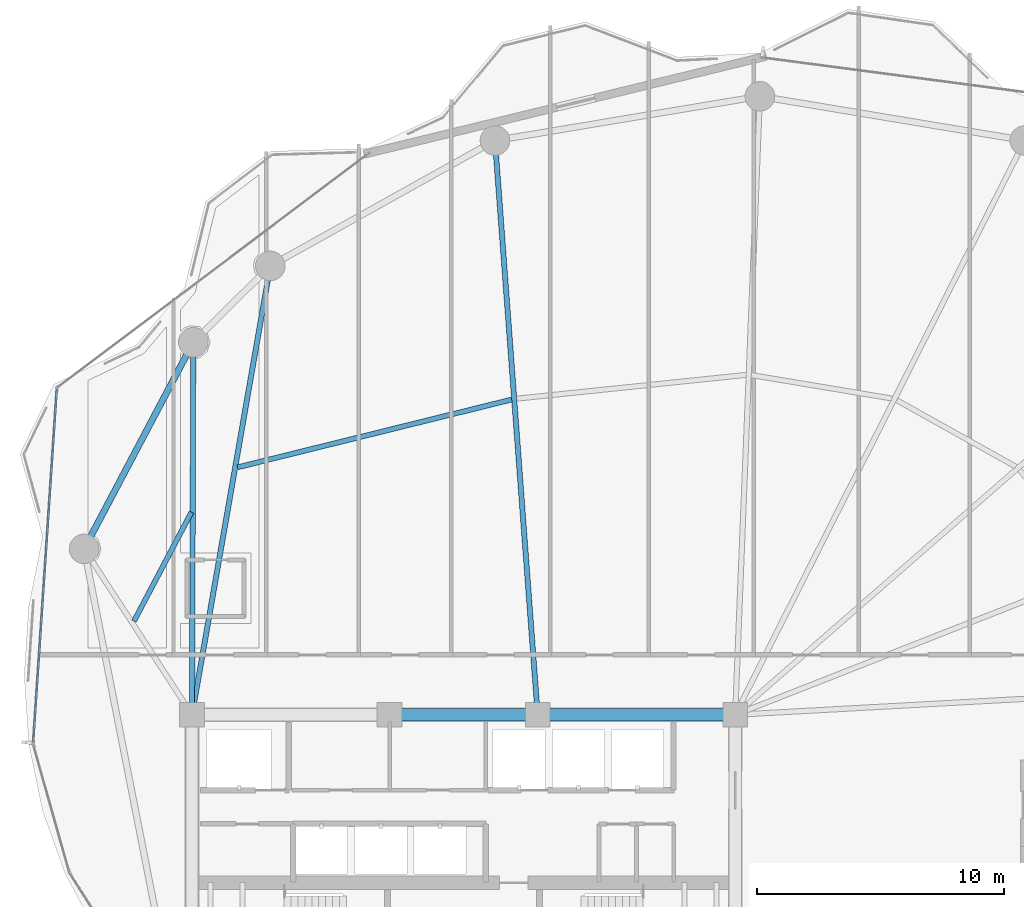
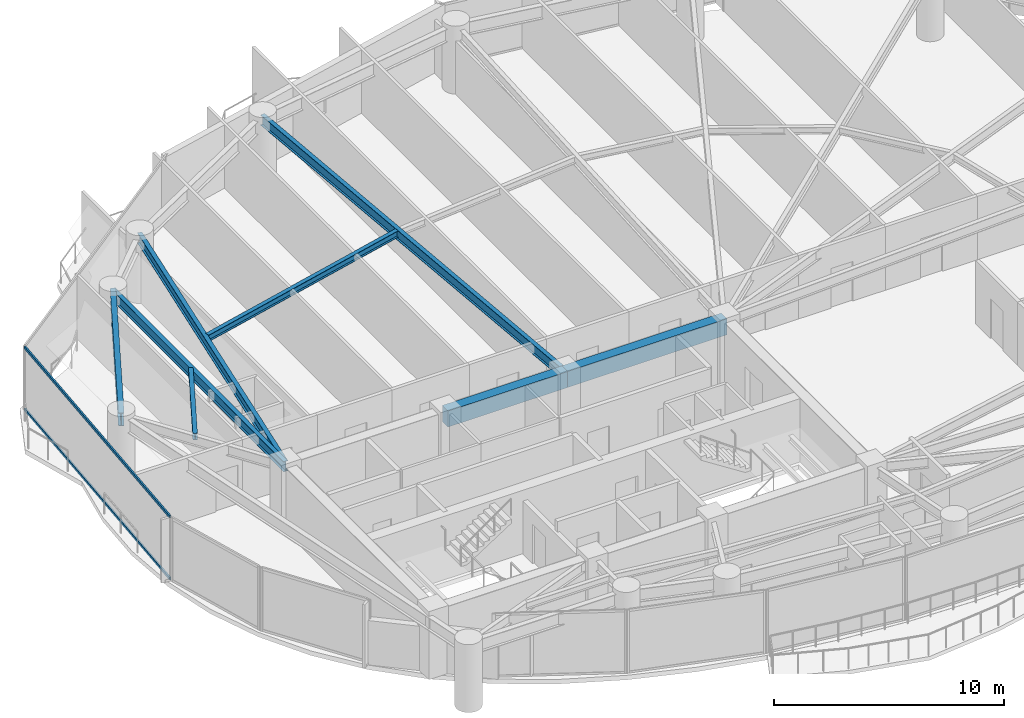
# One storey, part 8 of 31: 8 beams, 2 members, 1 element without a shape of its own.
"""IFC4 building model written with IfcOpenShell, lengths in metres."""

from ifc_helpers import new_model, si_unit, direction, frame, origin, origin_2d, place, context, subcontext, project, spatial, rectangle, hollow_rectangle, i_section, extrude, material, layer, layer_set, material_profile, profile_set, type_object, element, aggregate, save


model = new_model("IFC4")

# Units and contexts
model_context = context("Model", 3, precision=1e-05, world=origin(), true_north=direction((0.0, 1.0)))
body_context = subcontext(model_context, "Body", "Model", "MODEL_VIEW")
ifc_project = project(units=[si_unit("LENGTHUNIT", "METRE"), si_unit("AREAUNIT", "SQUARE_METRE"), si_unit("VOLUMEUNIT", "CUBIC_METRE"), si_unit("PLANEANGLEUNIT", "RADIAN"), si_unit("MASSUNIT", "GRAM", prefix="KILO")], contexts=[model_context])

# Site, building, storey
site_placement = place(None, origin())
site = spatial("IfcSite", under=ifc_project, at=site_placement, CompositionType="ELEMENT")
building_placement = place(site_placement, origin())
building = spatial("IfcBuilding", under=site, at=building_placement, Name="Kazevale Care Tower and Concert Hall", CompositionType="ELEMENT")
storey_placement = place(building_placement, frame((0.0, 0.0, 117.0)))
storey = spatial("IfcBuildingStorey", under=building, at=storey_placement, Name="L30", CompositionType="ELEMENT", Elevation=117.0)

# Curtain wall, members
ifc_material_1 = material(Name="Aluminium 6063-T6 and Low-E Glass", Category="aluminium")
ifc_layer = layer(ifc_material_1, 0.179931640625)
ifc_layer_set = layer_set([ifc_layer], Name="Aluminium 6063-T6 and Low-E Glass")
curtain_wall_type = type_object("IfcCurtainWallType", Name="Waist & Upper Residential Curtain Wall CW-4", PredefinedType="NOTDEFINED", material=ifc_layer_set)
curtain_wall_placement = place(storey_placement, origin())
curtain_wall = element("IfcCurtainWall", 1, at=curtain_wall_placement, inside=storey, type_object=curtain_wall_type, Name="cw:L30:f13", PredefinedType="NOTDEFINED")
ifc_material_2 = material(Name="Aluminium 6063-T6", Category="aluminium")
ifc_material_profile_1 = material_profile(ifc_material_2, hollow_rectangle(XDim=0.080078125, YDim=0.139892578125, WallThickness=0.00390625, at=origin_2d()), Name="ALU80x140x4")
ifc_profile_set_1 = profile_set([ifc_material_profile_1], Name="Aluminium 6063-T6")
member_type = type_object("IfcMemberType", Name="CW-4 Transom ALU80x140x4", PredefinedType="USERDEFINED", material=ifc_profile_set_1)
member_1_placement = place(storey_placement, frame((15.5712890625, 35.3017578125, 0.0400390625), z_axis=(0.06662329491, 0.99777820009, 0.0), x_axis=(-0.99777820009, 0.06662329491, 0.0)))
member_1 = element("IfcMember", 2, at=member_1_placement, type_object=member_type, Name="CW-4 transom 1.1", ObjectType="TRANSOM", PredefinedType="USERDEFINED", context=body_context, shape_type="SweptSolid", body=[
    extrude(hollow_rectangle(XDim=0.080078125, YDim=0.139892578125, WallThickness=0.00390625, at=origin_2d()), origin(), (0.0, 0.0, 1.0), 14.295166015625),
])
member_2_placement = place(storey_placement, frame((15.5712890625, 35.3017578125, 3.320068359375), z_axis=(0.06662329491, 0.99777820009, 0.0), x_axis=(-0.99777820009, 0.06662329491, 0.0)))
member_2 = element("IfcMember", 3, at=member_2_placement, type_object=member_type, Name="CW-4 transom 1.2", ObjectType="TRANSOM", PredefinedType="USERDEFINED", context=body_context, shape_type="SweptSolid", body=[
    extrude(hollow_rectangle(XDim=0.080078125, YDim=0.139892578125, WallThickness=0.00390625, at=origin_2d()), origin(), (0.0, 0.0, 1.0), 14.295166015625),
])
aggregate(curtain_wall, [member_1, member_2])

# Beams
ifc_material_3 = material(Name="Concrete C60", Category="concrete")
ifc_material_profile_2 = material_profile(ifc_material_3, rectangle(XDim=0.5, YDim=0.85009765625, at=origin_2d()), Name="RC-B500x850")
ifc_profile_set_2 = profile_set([ifc_material_profile_2], Name="Concrete C60")
beam_type_1 = type_object("IfcBeamType", Name="Core Coupling Beam RC500x850", PredefinedType="LINTEL", material=ifc_profile_set_2)
beam_1_placement = place(storey_placement, frame((44.0, 36.39990234375, 2.93505859375), z_axis=(-1.0, 0.0, 0.0), x_axis=(0.0, -1.0, 0.0)))
element("IfcBeam", 4, at=beam_1_placement, inside=storey, type_object=beam_type_1, Name="beam:L30:coretie:5", PredefinedType="LINTEL", context=body_context, shape_type="SweptSolid", body=[
    extrude(rectangle(XDim=0.5, YDim=0.85009765625, at=origin_2d()), origin(), (0.0, 0.0, 1.0), 8.0),
])
beam_2_placement = place(storey_placement, frame((36.0, 36.39990234375, 2.93505859375), z_axis=(-1.0, 0.0, 0.0), x_axis=(0.0, -1.0, 0.0)))
element("IfcBeam", 5, at=beam_2_placement, inside=storey, type_object=beam_type_1, Name="beam:L30:coretie:6", PredefinedType="LINTEL", context=body_context, shape_type="SweptSolid", body=[
    extrude(rectangle(XDim=0.5, YDim=0.85009765625, at=origin_2d()), origin(), (0.0, 0.0, 1.0), 6.0),
])
ifc_material_4 = material(Name="Steel ASTM A572 Gr 50", Category="steel")
ifc_material_profile_3 = material_profile(ifc_material_4, i_section(OverallWidth=0.2119140625, OverallDepth=0.5439453125, WebThickness=0.01318359375, FlangeThickness=0.021240234375, at=origin_2d()), Name="W530x123")
ifc_profile_set_3 = profile_set([ifc_material_profile_3], Name="Steel ASTM A572 Gr 50")
beam_type_2 = type_object("IfcBeamType", Name="Radial Floor Girder W530x123", PredefinedType="BEAM", material=ifc_profile_set_3)
beam_3_placement = place(storey_placement, frame((36.0, 36.39990234375, 3.087890625), z_axis=(-0.074170876808, 0.997245547011, 0.0), x_axis=(-0.997245547011, -0.074170876808, 0.0)))
element("IfcBeam", 6, at=beam_3_placement, inside=storey, type_object=beam_type_2, Name="beam:L30:rad:06", PredefinedType="BEAM", context=body_context, shape_type="SweptSolid", body=[
    extrude(i_section(OverallWidth=0.2119140625, OverallDepth=0.5439453125, WebThickness=0.01318359375, FlangeThickness=0.021240234375, at=origin_2d()), origin(), (0.0, 0.0, 1.0), 23.32421875),
])
beam_4_placement = place(storey_placement, frame((22.0, 36.39990234375, 3.087890625), z_axis=(0.171769935245, 0.985137091651, 0.0), x_axis=(-0.985137091651, 0.171769935245, 0.0)))
element("IfcBeam", 7, at=beam_4_placement, inside=storey, type_object=beam_type_2, Name="beam:L30:rad:07", PredefinedType="BEAM", context=body_context, shape_type="SweptSolid", body=[
    extrude(i_section(OverallWidth=0.2119140625, OverallDepth=0.5439453125, WebThickness=0.01318359375, FlangeThickness=0.021240234375, at=origin_2d()), origin(), (0.0, 0.0, 1.0), 18.454345703125),
])
beam_5_placement = place(storey_placement, frame((22.0, 36.39990234375, 3.087890625), z_axis=(0.003316650851, 0.999994499898, 0.0), x_axis=(-0.999994499898, 0.003316650851, 0.0)))
element("IfcBeam", 8, at=beam_5_placement, inside=storey, type_object=beam_type_2, Name="beam:L30:rad:08", PredefinedType="BEAM", context=body_context, shape_type="SweptSolid", body=[
    extrude(i_section(OverallWidth=0.2119140625, OverallDepth=0.5439453125, WebThickness=0.01318359375, FlangeThickness=0.021240234375, at=origin_2d()), origin(), (0.0, 0.0, 1.0), 15.090087890625),
])
ifc_material_profile_4 = material_profile(ifc_material_4, i_section(OverallWidth=0.205078125, OverallDepth=0.35400390625, WebThickness=0.009521484375, FlangeThickness=0.016845703125, at=origin_2d()), Name="W360x79")
ifc_profile_set_4 = profile_set([ifc_material_profile_4], Name="Steel ASTM A572 Gr 50")
beam_type_3 = type_object("IfcBeamType", Name="Secondary Floor Joist W360x79", PredefinedType="JOIST", material=ifc_profile_set_4)
beam_6_placement = place(storey_placement, frame((34.947021484375, 49.16796875, 3.18310546875), z_axis=(-0.970789504014, -0.239932779954, 0.0), x_axis=(0.239932779954, -0.970789504014, 0.0)))
element("IfcBeam", 9, at=beam_6_placement, inside=storey, type_object=beam_type_3, Name="beam:L30:joist:06", PredefinedType="JOIST", context=body_context, shape_type="SweptSolid", body=[
    extrude(i_section(OverallWidth=0.205078125, OverallDepth=0.35400390625, WebThickness=0.009521484375, FlangeThickness=0.016845703125, at=origin_2d()), origin(), (0.0, 0.0, 1.0), 11.43603515625),
])
beam_7_placement = place(storey_placement, frame((21.97802734375, 44.60693359375, 3.18310546875), z_axis=(-0.466809583155, -0.884357853515, 0.0), x_axis=(0.884357853515, -0.466809583155, 0.0)))
element("IfcBeam", 10, at=beam_7_placement, inside=storey, type_object=beam_type_3, Name="beam:L30:joist:08", PredefinedType="JOIST", context=body_context, shape_type="SweptSolid", body=[
    extrude(i_section(OverallWidth=0.205078125, OverallDepth=0.35400390625, WebThickness=0.009521484375, FlangeThickness=0.016845703125, at=origin_2d()), origin(), (0.0, 0.0, 1.0), 4.99560546875),
])
ifc_material_profile_5 = material_profile(ifc_material_4, i_section(OverallWidth=0.256103515625, OverallDepth=0.693115234375, WebThickness=0.014404296875, FlangeThickness=0.023681640625, at=origin_2d()), Name="W690x170")
ifc_profile_set_5 = profile_set([ifc_material_profile_5], Name="Steel ASTM A572 Gr 50")
beam_type_4 = type_object("IfcBeamType", Name="Waist Ring Beam W690x170", PredefinedType="BEAM", material=ifc_profile_set_5)
beam_8_placement = place(storey_placement, frame((22.050048828125, 51.489990234375, 3.013427734375), z_axis=(-0.466984438127, -0.884265533959, 0.0), x_axis=(0.884265533959, -0.466984438127, 0.0)))
element("IfcBeam", 11, at=beam_8_placement, inside=storey, type_object=beam_type_4, Name="beam:L30:ring:08", PredefinedType="BEAM", context=body_context, shape_type="SweptSolid", body=[
    extrude(i_section(OverallWidth=0.256103515625, OverallDepth=0.693115234375, WebThickness=0.014404296875, FlangeThickness=0.023681640625, at=origin_2d()), origin(), (0.0, 0.0, 1.0), 9.46533203125),
])

save(model, "model.ifc")
